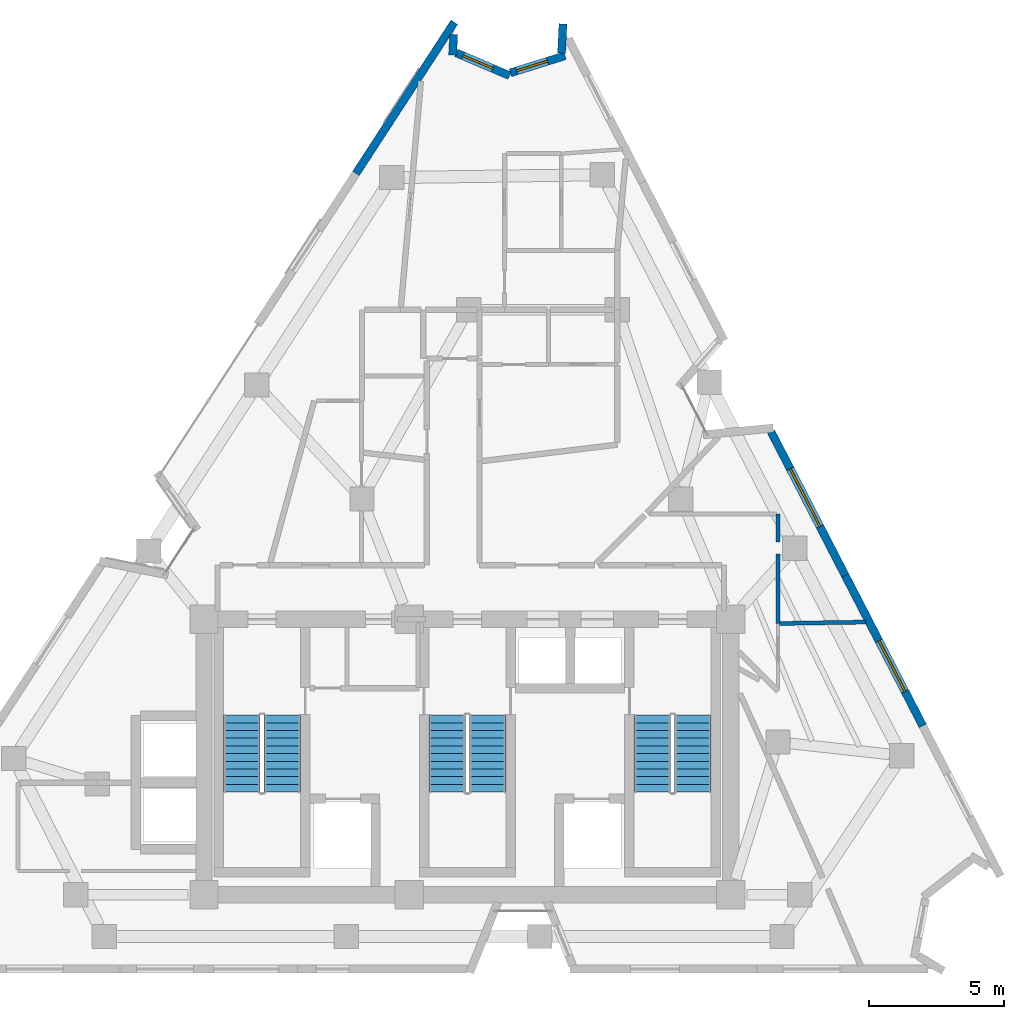
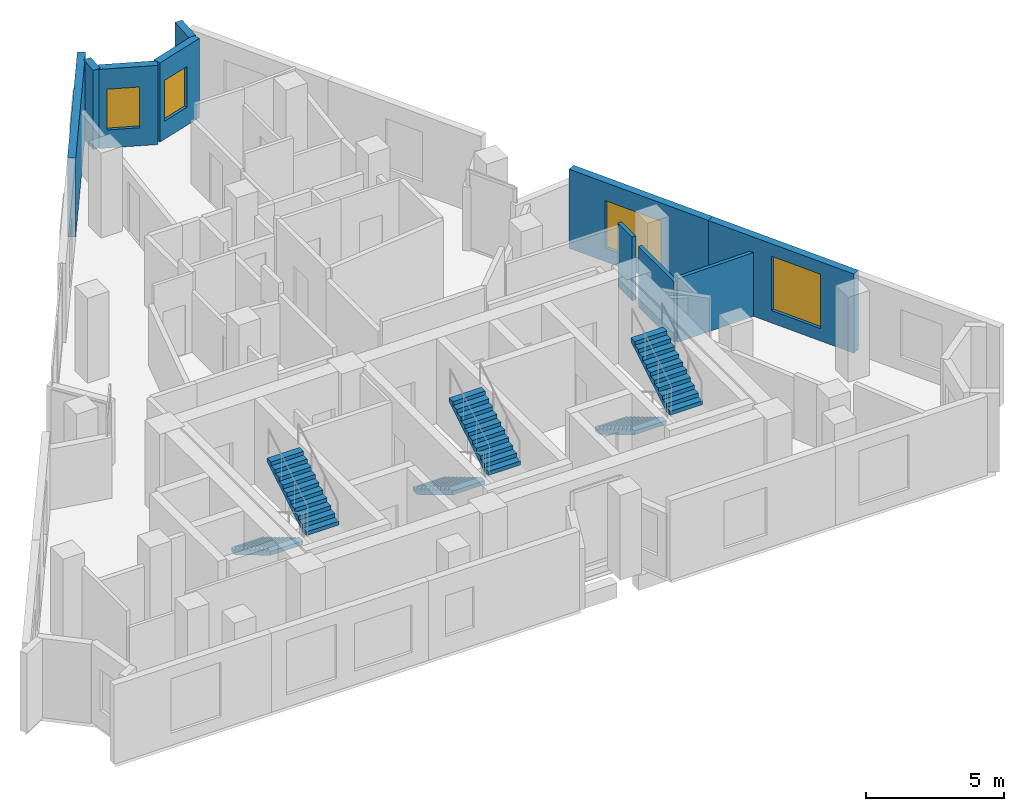
# One storey, part 8 of 9: 10 walls, 6 stair flights, 4 windows, 4 openings, 3 elements without a shape of their own.
"""IFC4 building model written with IfcOpenShell, lengths in metres."""

from ifc_helpers import new_model, si_unit, direction, frame, frame_2d, origin, place, context, subcontext, project, spatial, polyline, rectangle, outline, extrude, material, layer, layer_set, type_object, element, fill, aggregate, save


model = new_model("IFC4")

# Units and contexts
model_context = context("Model", 3, precision=1e-05, world=origin(), true_north=direction((0.0, 1.0)))
body_context = subcontext(model_context, "Body", "Model", "MODEL_VIEW")
ifc_project = project(units=[si_unit("LENGTHUNIT", "METRE"), si_unit("AREAUNIT", "SQUARE_METRE"), si_unit("VOLUMEUNIT", "CUBIC_METRE"), si_unit("PLANEANGLEUNIT", "RADIAN"), si_unit("MASSUNIT", "GRAM", prefix="KILO")], contexts=[model_context])

# Site, building, storey
site_placement = place(None, origin())
site = spatial("IfcSite", under=ifc_project, at=site_placement, CompositionType="ELEMENT")
building_placement = place(site_placement, origin())
building = spatial("IfcBuilding", under=site, at=building_placement, Name="Almagre Mirador Tower", CompositionType="ELEMENT")
storey_placement = place(building_placement, frame((0.0, 0.0, 207.0)))
storey = spatial("IfcBuildingStorey", under=building, at=storey_placement, Name="L53", CompositionType="ELEMENT", Elevation=207.0)

# Walls
ifc_material_1 = material(Name="Precast concrete C50/60", Category="concrete")
ifc_layer_1 = layer(ifc_material_1, 0.300048828125)
ifc_layer_set_1 = layer_set([ifc_layer_1], Name="Precast concrete C50/60")
wall_type_1 = type_object("IfcWallType", Name="WAL-EXT-300", PredefinedType="SOLIDWALL", material=ifc_layer_set_1)
wall_1_placement = place(storey_placement, frame((33.174072265625, 31.2509765625, 0.0), z_axis=(0.0, 0.0, 1.0), x_axis=(0.545624217243, 0.838029959821, 0.0)))
element("IfcWall", 1, at=wall_1_placement, inside=storey, type_object=wall_type_1, Name="L53 expressed almagre precast frame wall 04", PredefinedType="SOLIDWALL", context=body_context, shape_type="SweptSolid", body=[
    extrude(rectangle(XDim=6.6787109375, YDim=0.300048828125, at=frame_2d((3.33935546875, 0.0))), origin(), (0.0, 0.0, 1.0), 3.5),
])
wall_2_placement = place(storey_placement, frame((36.794921875, 36.3935546875, 0.0), z_axis=(0.0, 0.0, 1.0), x_axis=(-0.051035290984, -0.998696850438, 0.0)))
element("IfcWall", 2, at=wall_2_placement, inside=storey, type_object=wall_type_1, Name="L53 expressed almagre precast frame wall 05", PredefinedType="SOLIDWALL", context=body_context, shape_type="SweptSolid", body=[
    extrude(rectangle(XDim=0.765380859375, YDim=0.300048828125, at=frame_2d((0.3828125, 0.0))), origin(), (0.0, 0.0, 1.0), 3.5),
])

# Wall, opening, window
wall_3_placement = place(storey_placement, frame((36.88720703125, 35.7158203125, 0.0), z_axis=(0.0, 0.0, 1.0), x_axis=(0.919567916171, -0.392931097711, 0.0)))
wall_3 = element("IfcWall", 3, at=wall_3_placement, inside=storey, type_object=wall_type_1, Name="L53 expressed almagre precast frame wall 06", PredefinedType="SOLIDWALL", context=body_context, shape_type="SweptSolid", body=[
    extrude(rectangle(XDim=2.147216796875, YDim=0.300048828125, at=frame_2d((1.07373046875, 0.0))), origin(), (0.0, 0.0, 1.0), 3.5),
])
opening_1_placement = place(wall_3_placement, frame((0.27490234375, 0.0, 0.800048828125)))
opening_1 = element("IfcOpeningElement", 4, at=opening_1_placement, cuts=wall_3, Name="Opening WN-04", PredefinedType="OPENING", context=body_context, shape_type="SweptSolid", body=[
    extrude(rectangle(XDim=1.199951171875, YDim=1.800048828125, at=frame_2d((0.60009765625, 0.89990234375))), frame((0.0, 0.159902, 0.0), z_axis=(0.0, -1.0, 0.0), x_axis=(1.0, 0.0, 0.0)), (0.0, 0.0, 1.0), 0.320049),
])
ifc_material_2 = material(Name="Dark solar-control laminated hurricane glass", Category="glass")
window_type_1 = type_object("IfcWindowType", Name="WIN-1200X1800", PartitioningType="SINGLE_PANEL", PredefinedType="WINDOW", material=ifc_material_2)
window_1_placement = place(opening_1_placement, origin())
window_1 = element("IfcWindow", 5, at=window_1_placement, inside=storey, type_object=window_type_1, Name="L53 recessed hurricane window L53-UL-ST", OverallHeight=1.800048828125, OverallWidth=1.199951171875, PartitioningType="SINGLE_PANEL", PredefinedType="WINDOW", context=body_context, shape_type="SweptSolid", body=[
    extrude(rectangle(XDim=1.199951171875, YDim=1.800048828125, at=frame_2d((0.60009765625, 0.89990234375))), frame((0.0, 0.030029296875, 0.0), z_axis=(0.0, -1.0, 0.0), x_axis=(1.0, 0.0, 0.0)), (0.0, 0.0, 1.0), 0.06005859375),
])
fill(opening_1, window_1)

wall_4_placement = place(storey_placement, frame((38.8857421875, 34.974609375, 0.0), z_axis=(0.0, 0.0, 1.0), x_axis=(0.954524975295, 0.298130963736, 0.0)))
wall_4 = element("IfcWall", 6, at=wall_4_placement, inside=storey, type_object=wall_type_1, Name="L53 expressed almagre precast frame wall 07", PredefinedType="SOLIDWALL", context=body_context, shape_type="SweptSolid", body=[
    extrude(rectangle(XDim=2.12353515625, YDim=0.300048828125, at=frame_2d((1.061767578125, 0.0))), origin(), (0.0, 0.0, 1.0), 3.5),
])
opening_2_placement = place(wall_4_placement, frame((0.25, 0.0, 0.800048828125)))
opening_2 = element("IfcOpeningElement", 7, at=opening_2_placement, cuts=wall_4, Name="Opening WN-04", PredefinedType="OPENING", context=body_context, shape_type="SweptSolid", body=[
    extrude(rectangle(XDim=1.199951171875, YDim=1.800048828125, at=frame_2d((0.60009765625, 0.89990234375))), frame((0.0, 0.159902, 0.0), z_axis=(0.0, -1.0, 0.0), x_axis=(1.0, 0.0, 0.0)), (0.0, 0.0, 1.0), 0.320049),
])
window_2_placement = place(opening_2_placement, origin())
window_2 = element("IfcWindow", 8, at=window_2_placement, inside=storey, type_object=window_type_1, Name="L53 recessed hurricane window L53-UL-ST", OverallHeight=1.800048828125, OverallWidth=1.199951171875, PartitioningType="SINGLE_PANEL", PredefinedType="WINDOW", context=body_context, shape_type="SweptSolid", body=[
    extrude(rectangle(XDim=1.199951171875, YDim=1.800048828125, at=frame_2d((0.60009765625, 0.89990234375))), frame((0.0, 0.030029296875, 0.0), z_axis=(0.0, -1.0, 0.0), x_axis=(1.0, 0.0, 0.0)), (0.0, 0.0, 1.0), 0.06005859375),
])
fill(opening_2, window_2)

# Wall
wall_5_placement = place(storey_placement, frame((40.78564453125, 35.700927734375, 0.0), z_axis=(0.0, 0.0, 1.0), x_axis=(0.05016199642, 0.998741094636, 0.0)))
element("IfcWall", 9, at=wall_5_placement, inside=storey, type_object=wall_type_1, Name="L53 expressed almagre precast frame wall 08", PredefinedType="SOLIDWALL", context=body_context, shape_type="SweptSolid", body=[
    extrude(rectangle(XDim=1.08544921875, YDim=0.300048828125, at=frame_2d((0.542724609375, 0.0))), origin(), (0.0, 0.0, 1.0), 3.5),
])

# Wall, opening, window
wall_6_placement = place(storey_placement, frame((48.544189453125, 21.689453125, 0.0), z_axis=(0.0, 0.0, 1.0), x_axis=(0.458305242752, -0.888794860733, 0.0)))
wall_6 = element("IfcWall", 10, at=wall_6_placement, inside=storey, type_object=wall_type_1, Name="L53 expressed almagre precast frame wall 13", PredefinedType="SOLIDWALL", context=body_context, shape_type="SweptSolid", body=[
    extrude(rectangle(XDim=5.986083984375, YDim=0.300048828125, at=frame_2d((2.9931640625, 0.0))), origin(), (0.0, 0.0, 1.0), 3.5),
])
opening_3_placement = place(wall_6_placement, frame((1.544921875, 0.0, 0.60009765625)))
opening_3 = element("IfcOpeningElement", 11, at=opening_3_placement, cuts=wall_6, Name="Opening WN-02", PredefinedType="OPENING", context=body_context, shape_type="SweptSolid", body=[
    extrude(rectangle(XDim=2.39990234375, YDim=2.10009765625, at=frame_2d((1.199951171875, 1.050048828125))), frame((0.0, 0.159902, 0.0), z_axis=(0.0, -1.0, 0.0), x_axis=(1.0, 0.0, 0.0)), (0.0, 0.0, 1.0), 0.320049),
])
ifc_material_3 = material(Name="Dark solar-control laminated hurricane glass", Category="glass")
window_type_2 = type_object("IfcWindowType", Name="WIN-2400X2100", PartitioningType="TRIPLE_PANEL_VERTICAL", PredefinedType="WINDOW", material=ifc_material_3)
window_3_placement = place(opening_3_placement, origin())
window_3 = element("IfcWindow", 12, at=window_3_placement, inside=storey, type_object=window_type_2, Name="L53 recessed hurricane window L53-UE-BT", OverallHeight=2.10009765625, OverallWidth=2.39990234375, PartitioningType="SINGLE_PANEL", PredefinedType="WINDOW", context=body_context, shape_type="SweptSolid", body=[
    extrude(rectangle(XDim=2.39990234375, YDim=2.10009765625, at=frame_2d((1.199951171875, 1.050048828125))), frame((0.0, 0.030029296875, 0.0), z_axis=(0.0, -1.0, 0.0), x_axis=(1.0, 0.0, 0.0)), (0.0, 0.0, 1.0), 0.06005859375),
])
fill(opening_3, window_3)

wall_7_placement = place(storey_placement, frame((51.28759765625, 16.369140625, 0.0), z_axis=(0.0, 0.0, 1.0), x_axis=(0.458306446078, -0.88879424024, 0.0)))
wall_7 = element("IfcWall", 13, at=wall_7_placement, inside=storey, type_object=wall_type_1, Name="L53 expressed almagre precast frame wall 14", PredefinedType="SOLIDWALL", context=body_context, shape_type="SweptSolid", body=[
    extrude(rectangle(XDim=6.26611328125, YDim=0.300048828125, at=frame_2d((3.133056640625, 0.0))), origin(), (0.0, 0.0, 1.0), 3.5),
])
opening_4_placement = place(wall_7_placement, frame((2.72509765625, 0.0, 0.550048828125)))
opening_4 = element("IfcOpeningElement", 14, at=opening_4_placement, cuts=wall_7, Name="Opening WN-05", PredefinedType="OPENING", context=body_context, shape_type="SweptSolid", body=[
    extrude(rectangle(XDim=2.10009765625, YDim=2.39990234375, at=frame_2d((1.050048828125, 1.199951171875))), frame((0.0, 0.159902, 0.0), z_axis=(0.0, -1.0, 0.0), x_axis=(1.0, 0.0, 0.0)), (0.0, 0.0, 1.0), 0.320049),
])
ifc_material_4 = material(Name="Dark solar-control laminated hurricane glass", Category="glass")
window_type_3 = type_object("IfcWindowType", Name="WIN-2100X2400", PartitioningType="DOUBLE_PANEL_VERTICAL", PredefinedType="WINDOW", material=ifc_material_4)
window_4_placement = place(opening_4_placement, origin())
window_4 = element("IfcWindow", 15, at=window_4_placement, inside=storey, type_object=window_type_3, Name="L53 recessed hurricane window L53-UE-KT", OverallHeight=2.39990234375, OverallWidth=2.10009765625, PartitioningType="SINGLE_PANEL", PredefinedType="WINDOW", context=body_context, shape_type="SweptSolid", body=[
    extrude(rectangle(XDim=2.10009765625, YDim=2.39990234375, at=frame_2d((1.050048828125, 1.199951171875))), frame((0.0, 0.030029296875, 0.0), z_axis=(0.0, -1.0, 0.0), x_axis=(1.0, 0.0, 0.0)), (0.0, 0.0, 1.0), 0.06005859375),
])
fill(opening_4, window_4)

# Walls
ifc_material_5 = material(Name="Gypsum acoustic stud partition", Category="other")
ifc_layer_2 = layer(ifc_material_5, 0.14990234375)
ifc_layer_set_2 = layer_set([ifc_layer_2], Name="Gypsum acoustic stud partition")
wall_type_2 = type_object("IfcWallType", Name="WAL-PRT-150-STD", PredefinedType="PARTITIONING", material=ifc_layer_set_2)
wall_8_placement = place(storey_placement, frame((48.800048828125, 17.60009765625, 0.0), z_axis=(0.0, 0.0, 1.0), x_axis=(0.0, 1.0, 0.0)))
element("IfcWall", 16, at=wall_8_placement, inside=storey, type_object=wall_type_2, Name="L53 interior partition 037", PredefinedType="PARTITIONING", context=body_context, shape_type="SweptSolid", body=[
    extrude(rectangle(XDim=1.039794921875, YDim=0.14990234375, at=frame_2d((0.52001953125, 0.0))), origin(), (0.0, 0.0, 1.0), 2.820068359375),
])
wall_9_placement = place(storey_placement, frame((48.800048828125, 14.590087890625, 0.0), z_axis=(0.0, 0.0, 1.0), x_axis=(0.0, 1.0, 0.0)))
element("IfcWall", 17, at=wall_9_placement, inside=storey, type_object=wall_type_2, Name="L53 interior partition 039", PredefinedType="PARTITIONING", context=body_context, shape_type="SweptSolid", body=[
    extrude(rectangle(XDim=2.56982421875, YDim=0.14990234375, at=frame_2d((1.284912109375, 0.0))), origin(), (0.0, 0.0, 1.0), 2.68505859375),
])
wall_10_placement = place(storey_placement, frame((52.051025390625, 14.64306640625, 0.0), z_axis=(0.0, 0.0, 1.0), x_axis=(-0.999865797865, -0.016382498593, 0.0)))
element("IfcWall", 18, at=wall_10_placement, inside=storey, type_object=wall_type_2, Name="L53 interior partition 041", PredefinedType="PARTITIONING", context=body_context, shape_type="SweptSolid", body=[
    extrude(rectangle(XDim=3.2041015625, YDim=0.14990234375, at=frame_2d((1.60205078125, 0.0))), origin(), (0.0, 0.0, 1.0), 2.820068359375),
])

# Stair, stair flights
ifc_material_6 = material(Name="Concrete C45/55", Category="concrete")
stair_type = type_object("IfcStairType", Name="STR-DL-3750", PredefinedType="HALF_TURN_STAIR", material=ifc_material_6)
stair_1_placement = place(storey_placement, origin())
stair_1 = element("IfcStair", 19, at=stair_1_placement, inside=storey, type_object=stair_type, Name="L53 Protected exit stair ST-1", PredefinedType="HALF_TURN_STAIR")
ifc_material_7 = material(Name="Concrete C45/55", Category="concrete")
stair_flight_type = type_object("IfcStairFlightType", Name="FLT-DL-3750", PredefinedType="STRAIGHT", material=ifc_material_7)
stair_flight_1_placement = place(storey_placement, frame((28.949951171875, 11.199951171875, 0.0), z_axis=(0.0, 0.0, 1.0), x_axis=(0.0, -1.0, 0.0)))
stair_flight_1 = element("IfcStairFlight", 20, at=stair_flight_1_placement, type_object=stair_flight_type, Name="ST-1 flight 1", NumberOfRisers=11, NumberOfTreads=10, PredefinedType="STRAIGHT", RiserHeight=0.170454545, TreadLength=0.285, context=body_context, shape_type="SweptSolid", body=[
    extrude(outline(polyline([(0.0, 0.0), (0.0, 0.17041015625), (0.284912109375, 0.17041015625), (0.284912109375, 0.3408203125), (0.570068359375, 0.3408203125), (0.570068359375, 0.511474609375), (0.85498046875, 0.511474609375), (0.85498046875, 0.681884765625), (1.139892578125, 0.681884765625), (1.139892578125, 0.852294921875), (1.425048828125, 0.852294921875), (1.425048828125, 1.022705078125), (1.7099609375, 1.022705078125), (1.7099609375, 1.193115234375), (1.9951171875, 1.193115234375), (1.9951171875, 1.363525390625), (2.280029296875, 1.363525390625), (2.280029296875, 1.5341796875), (2.56494140625, 1.5341796875), (2.56494140625, 1.70458984375), (2.85009765625, 1.70458984375), (2.85009765625, 1.875), (2.85009765625, 1.52978515625), (0.2919921875, 0.0), (0.0, 0.0)])), frame((0.0, 0.675048828125, 0.0), z_axis=(0.0, -1.0, 0.0), x_axis=(1.0, 0.0, 0.0)), (0.0, 0.0, 1.0), 1.35009765625),
])
stair_flight_2_placement = place(storey_placement, frame((30.449951171875, 8.35009765625, 1.875), z_axis=(0.0, 0.0, 1.0), x_axis=(0.0, 1.0, 0.0)))
stair_flight_2 = element("IfcStairFlight", 21, at=stair_flight_2_placement, type_object=stair_flight_type, Name="ST-1 flight 2", NumberOfRisers=11, NumberOfTreads=10, PredefinedType="STRAIGHT", RiserHeight=0.170454545, TreadLength=0.285, context=body_context, shape_type="SweptSolid", body=[
    extrude(outline(polyline([(0.0, 0.0), (0.0, 0.17041015625), (0.284912109375, 0.17041015625), (0.284912109375, 0.3408203125), (0.570068359375, 0.3408203125), (0.570068359375, 0.511474609375), (0.85498046875, 0.511474609375), (0.85498046875, 0.681884765625), (1.139892578125, 0.681884765625), (1.139892578125, 0.852294921875), (1.425048828125, 0.852294921875), (1.425048828125, 1.022705078125), (1.7099609375, 1.022705078125), (1.7099609375, 1.193115234375), (1.9951171875, 1.193115234375), (1.9951171875, 1.363525390625), (2.280029296875, 1.363525390625), (2.280029296875, 1.5341796875), (2.56494140625, 1.5341796875), (2.56494140625, 1.70458984375), (2.85009765625, 1.70458984375), (2.85009765625, 1.875), (2.85009765625, 1.52978515625), (0.2919921875, 0.0), (0.0, 0.0)])), frame((0.0, 0.675048828125, 0.0), z_axis=(0.0, -1.0, 0.0), x_axis=(1.0, 0.0, 0.0)), (0.0, 0.0, 1.0), 1.35009765625),
])
aggregate(stair_1, [stair_flight_1, stair_flight_2])

stair_2_placement = place(storey_placement, origin())
stair_2 = element("IfcStair", 22, at=stair_2_placement, inside=storey, type_object=stair_type, Name="L53 Protected exit stair ST-2", PredefinedType="HALF_TURN_STAIR")
stair_flight_3_placement = place(storey_placement, frame((36.550048828125, 11.199951171875, 0.0), z_axis=(0.0, 0.0, 1.0), x_axis=(0.0, -1.0, 0.0)))
stair_flight_3 = element("IfcStairFlight", 23, at=stair_flight_3_placement, type_object=stair_flight_type, Name="ST-2 flight 1", NumberOfRisers=11, NumberOfTreads=10, PredefinedType="STRAIGHT", RiserHeight=0.170454545, TreadLength=0.285, context=body_context, shape_type="SweptSolid", body=[
    extrude(outline(polyline([(0.0, 0.0), (0.0, 0.17041015625), (0.284912109375, 0.17041015625), (0.284912109375, 0.3408203125), (0.570068359375, 0.3408203125), (0.570068359375, 0.511474609375), (0.85498046875, 0.511474609375), (0.85498046875, 0.681884765625), (1.139892578125, 0.681884765625), (1.139892578125, 0.852294921875), (1.425048828125, 0.852294921875), (1.425048828125, 1.022705078125), (1.7099609375, 1.022705078125), (1.7099609375, 1.193115234375), (1.9951171875, 1.193115234375), (1.9951171875, 1.363525390625), (2.280029296875, 1.363525390625), (2.280029296875, 1.5341796875), (2.56494140625, 1.5341796875), (2.56494140625, 1.70458984375), (2.85009765625, 1.70458984375), (2.85009765625, 1.875), (2.85009765625, 1.52978515625), (0.2919921875, 0.0), (0.0, 0.0)])), frame((0.0, 0.675048828125, 0.0), z_axis=(0.0, -1.0, 0.0), x_axis=(1.0, 0.0, 0.0)), (0.0, 0.0, 1.0), 1.35009765625),
])
stair_flight_4_placement = place(storey_placement, frame((38.050048828125, 8.35009765625, 1.875), z_axis=(0.0, 0.0, 1.0), x_axis=(0.0, 1.0, 0.0)))
stair_flight_4 = element("IfcStairFlight", 24, at=stair_flight_4_placement, type_object=stair_flight_type, Name="ST-2 flight 2", NumberOfRisers=11, NumberOfTreads=10, PredefinedType="STRAIGHT", RiserHeight=0.170454545, TreadLength=0.285, context=body_context, shape_type="SweptSolid", body=[
    extrude(outline(polyline([(0.0, 0.0), (0.0, 0.17041015625), (0.284912109375, 0.17041015625), (0.284912109375, 0.3408203125), (0.570068359375, 0.3408203125), (0.570068359375, 0.511474609375), (0.85498046875, 0.511474609375), (0.85498046875, 0.681884765625), (1.139892578125, 0.681884765625), (1.139892578125, 0.852294921875), (1.425048828125, 0.852294921875), (1.425048828125, 1.022705078125), (1.7099609375, 1.022705078125), (1.7099609375, 1.193115234375), (1.9951171875, 1.193115234375), (1.9951171875, 1.363525390625), (2.280029296875, 1.363525390625), (2.280029296875, 1.5341796875), (2.56494140625, 1.5341796875), (2.56494140625, 1.70458984375), (2.85009765625, 1.70458984375), (2.85009765625, 1.875), (2.85009765625, 1.52978515625), (0.2919921875, 0.0), (0.0, 0.0)])), frame((0.0, 0.675048828125, 0.0), z_axis=(0.0, -1.0, 0.0), x_axis=(1.0, 0.0, 0.0)), (0.0, 0.0, 1.0), 1.35009765625),
])
aggregate(stair_2, [stair_flight_3, stair_flight_4])

stair_3_placement = place(storey_placement, origin())
stair_3 = element("IfcStair", 25, at=stair_3_placement, inside=storey, type_object=stair_type, Name="L53 Protected exit stair ST-3", PredefinedType="HALF_TURN_STAIR")
stair_flight_5_placement = place(storey_placement, frame((44.14990234375, 11.199951171875, 0.0), z_axis=(0.0, 0.0, 1.0), x_axis=(0.0, -1.0, 0.0)))
stair_flight_5 = element("IfcStairFlight", 26, at=stair_flight_5_placement, type_object=stair_flight_type, Name="ST-3 flight 1", NumberOfRisers=11, NumberOfTreads=10, PredefinedType="STRAIGHT", RiserHeight=0.170454545, TreadLength=0.285, context=body_context, shape_type="SweptSolid", body=[
    extrude(outline(polyline([(0.0, 0.0), (0.0, 0.17041015625), (0.284912109375, 0.17041015625), (0.284912109375, 0.3408203125), (0.570068359375, 0.3408203125), (0.570068359375, 0.511474609375), (0.85498046875, 0.511474609375), (0.85498046875, 0.681884765625), (1.139892578125, 0.681884765625), (1.139892578125, 0.852294921875), (1.425048828125, 0.852294921875), (1.425048828125, 1.022705078125), (1.7099609375, 1.022705078125), (1.7099609375, 1.193115234375), (1.9951171875, 1.193115234375), (1.9951171875, 1.363525390625), (2.280029296875, 1.363525390625), (2.280029296875, 1.5341796875), (2.56494140625, 1.5341796875), (2.56494140625, 1.70458984375), (2.85009765625, 1.70458984375), (2.85009765625, 1.875), (2.85009765625, 1.52978515625), (0.2919921875, 0.0), (0.0, 0.0)])), frame((0.0, 0.675048828125, 0.0), z_axis=(0.0, -1.0, 0.0), x_axis=(1.0, 0.0, 0.0)), (0.0, 0.0, 1.0), 1.35009765625),
])
stair_flight_6_placement = place(storey_placement, frame((45.64990234375, 8.35009765625, 1.875), z_axis=(0.0, 0.0, 1.0), x_axis=(0.0, 1.0, 0.0)))
stair_flight_6 = element("IfcStairFlight", 27, at=stair_flight_6_placement, type_object=stair_flight_type, Name="ST-3 flight 2", NumberOfRisers=11, NumberOfTreads=10, PredefinedType="STRAIGHT", RiserHeight=0.170454545, TreadLength=0.285, context=body_context, shape_type="SweptSolid", body=[
    extrude(outline(polyline([(0.0, 0.0), (0.0, 0.17041015625), (0.284912109375, 0.17041015625), (0.284912109375, 0.3408203125), (0.570068359375, 0.3408203125), (0.570068359375, 0.511474609375), (0.85498046875, 0.511474609375), (0.85498046875, 0.681884765625), (1.139892578125, 0.681884765625), (1.139892578125, 0.852294921875), (1.425048828125, 0.852294921875), (1.425048828125, 1.022705078125), (1.7099609375, 1.022705078125), (1.7099609375, 1.193115234375), (1.9951171875, 1.193115234375), (1.9951171875, 1.363525390625), (2.280029296875, 1.363525390625), (2.280029296875, 1.5341796875), (2.56494140625, 1.5341796875), (2.56494140625, 1.70458984375), (2.85009765625, 1.70458984375), (2.85009765625, 1.875), (2.85009765625, 1.52978515625), (0.2919921875, 0.0), (0.0, 0.0)])), frame((0.0, 0.675048828125, 0.0), z_axis=(0.0, -1.0, 0.0), x_axis=(1.0, 0.0, 0.0)), (0.0, 0.0, 1.0), 1.35009765625),
])
aggregate(stair_3, [stair_flight_5, stair_flight_6])

save(model, "model.ifc")
